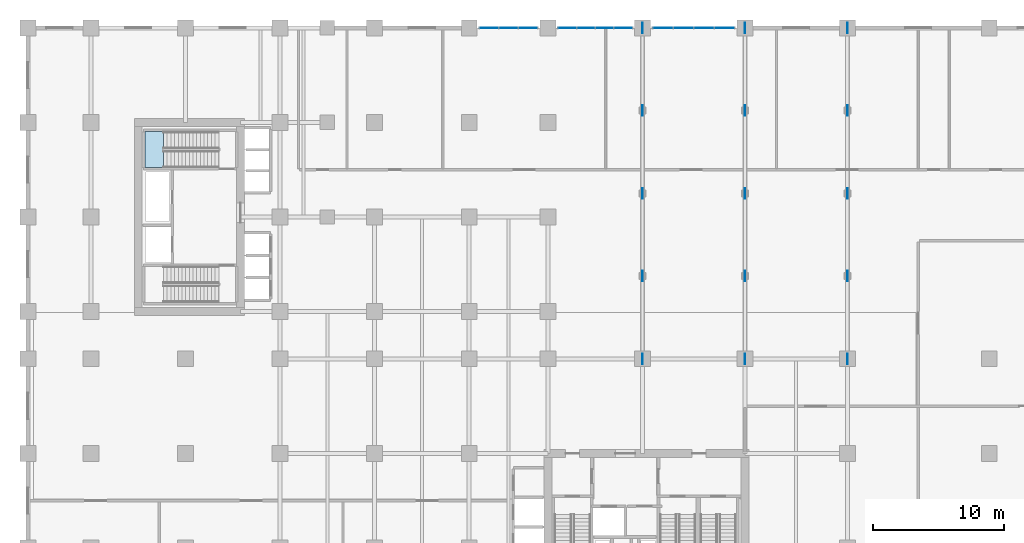
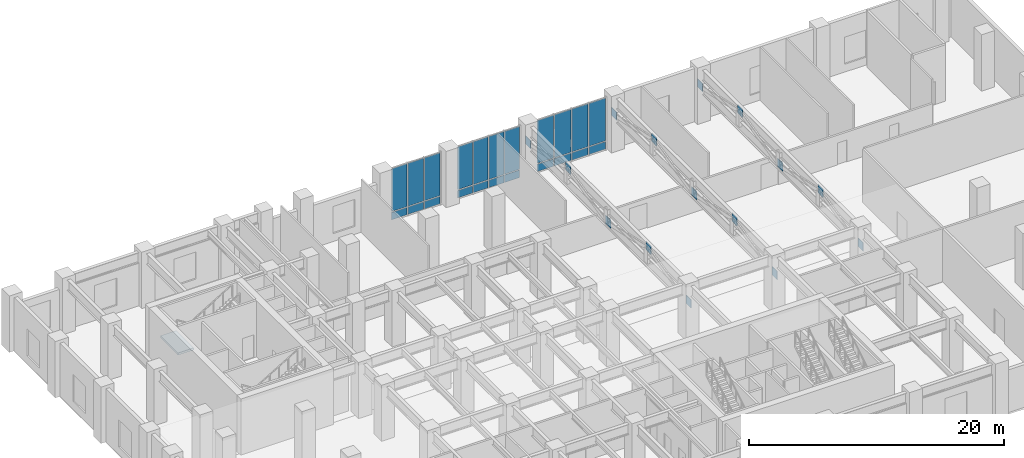
# One storey, part 7 of 19: 37 plates, 1 slab, 4 elements without a shape of their own.
"""IFC4 building model written with IfcOpenShell, lengths in metres."""

from ifc_helpers import new_model, si_unit, derived_unit, direction, frame, origin, origin_2d, place, context, subcontext, project, spatial, polyline, rectangle, outline, extrude, source, transform, mapped, material, layer, layer_set, type_object, type_shapes, element, aggregate, save


model = new_model("IFC4")

# Units and contexts
model_context = context("Model", 3, precision=1e-05, world=origin(), true_north=direction((0.0, 1.0)))
body_context = subcontext(model_context, "Body", "Model", "MODEL_VIEW")
ifc_project = project(units=[si_unit("LENGTHUNIT", "METRE"), si_unit("AREAUNIT", "SQUARE_METRE"), si_unit("VOLUMEUNIT", "CUBIC_METRE"), si_unit("PLANEANGLEUNIT", "RADIAN"), si_unit("MASSUNIT", "GRAM", prefix="KILO"), si_unit("THERMODYNAMICTEMPERATUREUNIT", "KELVIN"), si_unit("POWERUNIT", "WATT"), derived_unit("THERMALTRANSMITTANCEUNIT", [(si_unit("POWERUNIT", "WATT"), 1), (si_unit("AREAUNIT", "SQUARE_METRE"), -1), (si_unit("THERMODYNAMICTEMPERATUREUNIT", "KELVIN"), -1)])], contexts=[model_context])

# Site, building, storey
site_placement = place(None, origin())
site = spatial("IfcSite", under=ifc_project, at=site_placement, CompositionType="ELEMENT")
building_placement = place(site_placement, origin())
building = spatial("IfcBuilding", under=site, at=building_placement, Name="Zahravan Archway Hotel and Residences", CompositionType="ELEMENT")
storey_placement = place(building_placement, frame((0.0, 0.0, 21.60009765625)))
storey = spatial("IfcBuildingStorey", under=building, at=storey_placement, Name="L04", CompositionType="ELEMENT", Elevation=21.60009765625)

# Stair, slab
ifc_material_1 = material(Name="Concrete C50/60", Category="concrete")
stair_type = type_object("IfcStairType", Name="STR-CORE-1300", PredefinedType="HALF_TURN_STAIR", material=ifc_material_1)
stair_placement = place(storey_placement, origin())
stair = element("IfcStair", 1, at=stair_placement, inside=storey, type_object=stair_type, Name="L04 Core B Exit Stair 2", PredefinedType="HALF_TURN_STAIR")
ifc_layer_1 = layer(ifc_material_1, 0.199951171875, Name="Concrete C50/60", Category="concrete")
ifc_layer_set_1 = layer_set([ifc_layer_1], Name="Concrete C50/60")
slab_type = type_object("IfcSlabType", Name="SLB-LND-200", PredefinedType="LANDING", material=ifc_layer_set_1)
slab_placement = place(storey_placement, frame((0.0, 0.0, 2.5)))
slab = element("IfcSlab", 2, at=slab_placement, type_object=slab_type, Name="ST-B2 landing 1", PredefinedType="LANDING", context=body_context, shape_type="SweptSolid", body=[
    extrude(outline(polyline([(5.530029296875, 38.89990234375), (4.10009765625, 38.89990234375), (4.10009765625, 36.159912109375), (5.530029296875, 36.159912109375), (5.530029296875, 38.89990234375)])), origin(), (0.0, 0.0, 1.0), 0.199951171875),
])
aggregate(stair, [slab])

# Plates
ifc_material_2 = material(Name="Structural Steel S355J2", Category="steel")
ifc_layer_2 = layer(ifc_material_2, 0.035888671875, Name="Structural Steel S355J2", Category="steel")
ifc_layer_set_2 = layer_set([ifc_layer_2], Name="Structural Steel S355J2")
plate_type_1 = type_object("IfcPlateType", Name="PLT-GUS-ON2", PredefinedType="USERDEFINED", material=ifc_layer_set_2)
shared_shape_1 = source(origin(), body_context, "Body", "SweptSolid", [
    extrude(rectangle(XDim=0.800048828125, YDim=0.035888671875, at=origin_2d()), origin(), (0.0, 0.0, 1.0), 0.800048828125),
])
type_shapes(plate_type_1, [shared_shape_1])
for number, where, z_axis, x_axis, name in (
    (3, (42.0, 21.60009765625, 2.7998046875), (0.0, 0.0, 1.0), (0.0, 1.0, 0.0), "L04 Transfer Truss Node Gusset ON2-1-1"),
    (4, (42.0, 27.89990234375, 4.14990234375), (0.0, 0.0, 1.0), (0.0, 1.0, 0.0), "L04 Transfer Truss Node Gusset ON2-1-2"),
    (5, (42.0, 34.199951171875, 2.7998046875), (0.0, 0.0, 1.0), (0.0, 1.0, 0.0), "L04 Transfer Truss Node Gusset ON2-1-3"),
    (6, (42.0, 40.5, 4.14990234375), (0.0, 0.0, 1.0), (0.0, 1.0, 0.0), "L04 Transfer Truss Node Gusset ON2-1-4"),
    (7, (42.0, 46.800048828125, 2.7998046875), (0.0, 0.0, 1.0), (0.0, 1.0, 0.0), "L04 Transfer Truss End Gusset ON2-1"),
    (8, (49.800048828125, 21.60009765625, 2.7998046875), (0.0, 0.0, 1.0), (0.0, 1.0, 0.0), "L04 Transfer Truss Node Gusset ON2-2-1"),
    (9, (49.800048828125, 27.89990234375, 4.14990234375), (0.0, 0.0, 1.0), (0.0, 1.0, 0.0), "L04 Transfer Truss Node Gusset ON2-2-2"),
    (10, (49.800048828125, 34.199951171875, 2.7998046875), (0.0, 0.0, 1.0), (0.0, 1.0, 0.0), "L04 Transfer Truss Node Gusset ON2-2-3"),
    (11, (49.800048828125, 40.5, 4.14990234375), (0.0, 0.0, 1.0), (0.0, 1.0, 0.0), "L04 Transfer Truss Node Gusset ON2-2-4"),
    (12, (49.800048828125, 46.800048828125, 2.7998046875), (0.0, 0.0, 1.0), (0.0, 1.0, 0.0), "L04 Transfer Truss End Gusset ON2-2"),
    (13, (57.60009765625, 21.60009765625, 2.7998046875), (0.0, 0.0, 1.0), (0.0, 1.0, 0.0), "L04 Transfer Truss Node Gusset ON2-3-1"),
    (14, (57.60009765625, 27.89990234375, 4.14990234375), (0.0, 0.0, 1.0), (0.0, 1.0, 0.0), "L04 Transfer Truss Node Gusset ON2-3-2"),
    (15, (57.60009765625, 34.199951171875, 2.7998046875), (0.0, 0.0, 1.0), (0.0, 1.0, 0.0), "L04 Transfer Truss Node Gusset ON2-3-3"),
    (16, (57.60009765625, 40.5, 4.14990234375), (0.0, 0.0, 1.0), (0.0, 1.0, 0.0), "L04 Transfer Truss Node Gusset ON2-3-4"),
    (17, (57.60009765625, 46.800048828125, 2.7998046875), (0.0, 0.0, 1.0), (0.0, 1.0, 0.0), "L04 Transfer Truss End Gusset ON2-3"),
):
    element("IfcPlate", number, at=place(storey_placement, frame(where, z_axis=z_axis, x_axis=x_axis)), inside=storey, type_object=plate_type_1, Name=name, ObjectType="GUSSET", PredefinedType="USERDEFINED", context=body_context, shape_type="MappedRepresentation", body=[
        mapped(shared_shape_1, transform((0.0, 0.0, 0.0), scale=1.0)),
    ])

# Curtain wall, plates
ifc_material_3 = material(Name="Bronze-Anodized Unitised Aluminium & Low-E Glass", Category="aluminium")
ifc_layer_3 = layer(ifc_material_3, 0.179931640625, Name="Bronze-Anodized Unitised Aluminium & Low-E Glass", Category="aluminium")
ifc_layer_set_3 = layer_set([ifc_layer_3], Name="Bronze-Anodized Unitised Aluminium & Low-E Glass")
curtain_wall_type = type_object("IfcCurtainWallType", Name="CW-POD-ARCH", PredefinedType="NOTDEFINED", material=ifc_layer_set_3)
curtain_wall_1_placement = place(storey_placement, origin())
curtain_wall_1 = element("IfcCurtainWall", 18, at=curtain_wall_1_placement, inside=storey, type_object=curtain_wall_type, Name="L04 Curtain Wall CW-POD-L04-1", PredefinedType="NOTDEFINED")
ifc_material_4 = material(Name="Insulated Terracotta Spandrel Panel", Category="masonry")
ifc_layer_4 = layer(ifc_material_4, 0.0400390625, Name="Insulated Terracotta Spandrel Panel", Category="masonry")
ifc_layer_set_4 = layer_set([ifc_layer_4], Name="Insulated Terracotta Spandrel Panel")
plate_type_2 = type_object("IfcPlateType", Name="CWP-SPN-40", PredefinedType="SHEET", material=ifc_layer_set_4)
shared_shape_2 = source(origin(), body_context, "Body", "SweptSolid", [
    extrude(rectangle(XDim=1.413330078125, YDim=0.0400390625, at=origin_2d()), origin(), (0.0, 0.0, 1.0), 0.7099609375),
])
type_shapes(plate_type_2, [shared_shape_2])
plate_1_placement = place(storey_placement, frame((30.306640625, 46.800048828125, 0.099853515625), z_axis=(0.0, 0.0, 1.0), x_axis=(1.0, 0.0, 0.0)))
plate_1 = element("IfcPlate", 19, at=plate_1_placement, type_object=plate_type_2, Name="CW-POD-L04-1 Spandrel Panel 0", PredefinedType="SHEET", context=body_context, shape_type="MappedRepresentation", body=[
    mapped(shared_shape_2, transform((0.0, 0.0, 0.0), scale=1.0)),
])
plate_2_placement = place(storey_placement, frame((31.800048828125, 46.800048828125, 0.099853515625), z_axis=(0.0, 0.0, 1.0), x_axis=(1.0, 0.0, 0.0)))
plate_2 = element("IfcPlate", 20, at=plate_2_placement, type_object=plate_type_2, Name="CW-POD-L04-1 Spandrel Panel 1", PredefinedType="SHEET", context=body_context, shape_type="MappedRepresentation", body=[
    mapped(shared_shape_2, transform((0.0, 0.0, 0.0), scale=1.0)),
])
plate_3_placement = place(storey_placement, frame((33.29345703125, 46.800048828125, 0.099853515625), z_axis=(0.0, 0.0, 1.0), x_axis=(1.0, 0.0, 0.0)))
plate_3 = element("IfcPlate", 21, at=plate_3_placement, type_object=plate_type_2, Name="CW-POD-L04-1 Spandrel Panel 2", PredefinedType="SHEET", context=body_context, shape_type="MappedRepresentation", body=[
    mapped(shared_shape_2, transform((0.0, 0.0, 0.0), scale=1.0)),
])

curtain_wall_2_placement = place(storey_placement, origin())
curtain_wall_2 = element("IfcCurtainWall", 22, at=curtain_wall_2_placement, inside=storey, type_object=curtain_wall_type, Name="L04 Curtain Wall CW-POD-L04-2", PredefinedType="NOTDEFINED")
shared_shape_3 = source(origin(), body_context, "Body", "SweptSolid", [
    extrude(rectangle(XDim=1.340087890625, YDim=0.0400390625, at=origin_2d()), origin(), (0.0, 0.0, 1.0), 0.7099609375),
])
plate_4_placement = place(storey_placement, frame((36.27001953125, 46.800048828125, 0.099853515625), z_axis=(0.0, 0.0, 1.0), x_axis=(1.0, 0.0, 0.0)))
plate_4 = element("IfcPlate", 23, at=plate_4_placement, type_object=plate_type_2, Name="CW-POD-L04-2 Spandrel Panel 0", PredefinedType="SHEET", context=body_context, shape_type="MappedRepresentation", body=[
    mapped(shared_shape_3, transform((0.0, 0.0, 0.0), scale=1.0)),
])
plate_5_placement = place(storey_placement, frame((37.68994140625, 46.800048828125, 0.099853515625), z_axis=(0.0, 0.0, 1.0), x_axis=(1.0, 0.0, 0.0)))
plate_5 = element("IfcPlate", 24, at=plate_5_placement, type_object=plate_type_2, Name="CW-POD-L04-2 Spandrel Panel 1", PredefinedType="SHEET", context=body_context, shape_type="MappedRepresentation", body=[
    mapped(shared_shape_3, transform((0.0, 0.0, 0.0), scale=1.0)),
])
plate_6_placement = place(storey_placement, frame((39.110107421875, 46.800048828125, 0.099853515625), z_axis=(0.0, 0.0, 1.0), x_axis=(1.0, 0.0, 0.0)))
plate_6 = element("IfcPlate", 25, at=plate_6_placement, type_object=plate_type_2, Name="CW-POD-L04-2 Spandrel Panel 2", PredefinedType="SHEET", context=body_context, shape_type="MappedRepresentation", body=[
    mapped(shared_shape_3, transform((0.0, 0.0, 0.0), scale=1.0)),
])
plate_7_placement = place(storey_placement, frame((40.530029296875, 46.800048828125, 0.099853515625), z_axis=(0.0, 0.0, 1.0), x_axis=(1.0, 0.0, 0.0)))
plate_7 = element("IfcPlate", 26, at=plate_7_placement, type_object=plate_type_2, Name="CW-POD-L04-2 Spandrel Panel 3", PredefinedType="SHEET", context=body_context, shape_type="MappedRepresentation", body=[
    mapped(shared_shape_3, transform((0.0, 0.0, 0.0), scale=1.0)),
])

curtain_wall_3_placement = place(storey_placement, origin())
curtain_wall_3 = element("IfcCurtainWall", 27, at=curtain_wall_3_placement, inside=storey, type_object=curtain_wall_type, Name="L04 Curtain Wall CW-POD-L04-3", PredefinedType="NOTDEFINED")
shared_shape_4 = source(origin(), body_context, "Body", "SweptSolid", [
    extrude(rectangle(XDim=1.489990234375, YDim=0.0400390625, at=origin_2d()), origin(), (0.0, 0.0, 1.0), 0.7099609375),
])
plate_8_placement = place(storey_placement, frame((43.544921875, 46.800048828125, 0.099853515625), z_axis=(0.0, 0.0, 1.0), x_axis=(1.0, 0.0, 0.0)))
plate_8 = element("IfcPlate", 28, at=plate_8_placement, type_object=plate_type_2, Name="CW-POD-L04-3 Spandrel Panel 0", PredefinedType="SHEET", context=body_context, shape_type="MappedRepresentation", body=[
    mapped(shared_shape_4, transform((0.0, 0.0, 0.0), scale=1.0)),
])
plate_9_placement = place(storey_placement, frame((45.114990234375, 46.800048828125, 0.099853515625), z_axis=(0.0, 0.0, 1.0), x_axis=(1.0, 0.0, 0.0)))
plate_9 = element("IfcPlate", 29, at=plate_9_placement, type_object=plate_type_2, Name="CW-POD-L04-3 Spandrel Panel 1", PredefinedType="SHEET", context=body_context, shape_type="MappedRepresentation", body=[
    mapped(shared_shape_4, transform((0.0, 0.0, 0.0), scale=1.0)),
])
plate_10_placement = place(storey_placement, frame((46.68505859375, 46.800048828125, 0.099853515625), z_axis=(0.0, 0.0, 1.0), x_axis=(1.0, 0.0, 0.0)))
plate_10 = element("IfcPlate", 30, at=plate_10_placement, type_object=plate_type_2, Name="CW-POD-L04-3 Spandrel Panel 2", PredefinedType="SHEET", context=body_context, shape_type="MappedRepresentation", body=[
    mapped(shared_shape_4, transform((0.0, 0.0, 0.0), scale=1.0)),
])
plate_11_placement = place(storey_placement, frame((48.2548828125, 46.800048828125, 0.099853515625), z_axis=(0.0, 0.0, 1.0), x_axis=(1.0, 0.0, 0.0)))
plate_11 = element("IfcPlate", 31, at=plate_11_placement, type_object=plate_type_2, Name="CW-POD-L04-3 Spandrel Panel 3", PredefinedType="SHEET", context=body_context, shape_type="MappedRepresentation", body=[
    mapped(shared_shape_4, transform((0.0, 0.0, 0.0), scale=1.0)),
])

# Plate
ifc_material_5 = material(Name="Double-Silver Low-E Insulated Vision Glass", Category="glass")
ifc_layer_5 = layer(ifc_material_5, 0.028076171875, Name="Double-Silver Low-E Insulated Vision Glass", Category="glass")
ifc_layer_set_5 = layer_set([ifc_layer_5], Name="Double-Silver Low-E Insulated Vision Glass")
plate_type_3 = type_object("IfcPlateType", Name="CWP-GLZ-28", PredefinedType="CURTAIN_PANEL", material=ifc_layer_set_5)
shared_shape_5 = source(origin(), body_context, "Body", "SweptSolid", [
    extrude(rectangle(XDim=1.413330078125, YDim=0.028076171875, at=origin_2d()), origin(), (0.0, 0.0, 1.0), 4.110107421875),
])
plate_12_placement = place(storey_placement, frame((30.306640625, 46.800048828125, 0.8896484375), z_axis=(0.0, 0.0, 1.0), x_axis=(1.0, 0.0, 0.0)))
plate_12 = element("IfcPlate", 32, at=plate_12_placement, type_object=plate_type_3, Name="CW-POD-L04-1 Low-E Vision Panel 0", PredefinedType="CURTAIN_PANEL", context=body_context, shape_type="MappedRepresentation", body=[
    mapped(shared_shape_5, transform((0.0, 0.0, 0.0), scale=1.0)),
])

plate_13_placement = place(storey_placement, frame((31.800048828125, 46.800048828125, 0.8896484375), z_axis=(0.0, 0.0, 1.0), x_axis=(1.0, 0.0, 0.0)))
plate_13 = element("IfcPlate", 33, at=plate_13_placement, type_object=plate_type_3, Name="CW-POD-L04-1 Low-E Vision Panel 1", PredefinedType="CURTAIN_PANEL", context=body_context, shape_type="MappedRepresentation", body=[
    mapped(shared_shape_5, transform((0.0, 0.0, 0.0), scale=1.0)),
])

plate_14_placement = place(storey_placement, frame((33.29345703125, 46.800048828125, 0.8896484375), z_axis=(0.0, 0.0, 1.0), x_axis=(1.0, 0.0, 0.0)))
plate_14 = element("IfcPlate", 34, at=plate_14_placement, type_object=plate_type_3, Name="CW-POD-L04-1 Low-E Vision Panel 2", PredefinedType="CURTAIN_PANEL", context=body_context, shape_type="MappedRepresentation", body=[
    mapped(shared_shape_5, transform((0.0, 0.0, 0.0), scale=1.0)),
])

aggregate(curtain_wall_1, [plate_1, plate_12, plate_2, plate_13, plate_3, plate_14])

shared_shape_6 = source(origin(), body_context, "Body", "SweptSolid", [
    extrude(rectangle(XDim=1.340087890625, YDim=0.028076171875, at=origin_2d()), origin(), (0.0, 0.0, 1.0), 4.110107421875),
])
plate_15_placement = place(storey_placement, frame((36.27001953125, 46.800048828125, 0.8896484375), z_axis=(0.0, 0.0, 1.0), x_axis=(1.0, 0.0, 0.0)))
plate_15 = element("IfcPlate", 35, at=plate_15_placement, type_object=plate_type_3, Name="CW-POD-L04-2 Low-E Vision Panel 0", PredefinedType="CURTAIN_PANEL", context=body_context, shape_type="MappedRepresentation", body=[
    mapped(shared_shape_6, transform((0.0, 0.0, 0.0), scale=1.0)),
])

plate_16_placement = place(storey_placement, frame((37.68994140625, 46.800048828125, 0.8896484375), z_axis=(0.0, 0.0, 1.0), x_axis=(1.0, 0.0, 0.0)))
plate_16 = element("IfcPlate", 36, at=plate_16_placement, type_object=plate_type_3, Name="CW-POD-L04-2 Low-E Vision Panel 1", PredefinedType="CURTAIN_PANEL", context=body_context, shape_type="MappedRepresentation", body=[
    mapped(shared_shape_6, transform((0.0, 0.0, 0.0), scale=1.0)),
])

plate_17_placement = place(storey_placement, frame((39.110107421875, 46.800048828125, 0.8896484375), z_axis=(0.0, 0.0, 1.0), x_axis=(1.0, 0.0, 0.0)))
plate_17 = element("IfcPlate", 37, at=plate_17_placement, type_object=plate_type_3, Name="CW-POD-L04-2 Low-E Vision Panel 2", PredefinedType="CURTAIN_PANEL", context=body_context, shape_type="MappedRepresentation", body=[
    mapped(shared_shape_6, transform((0.0, 0.0, 0.0), scale=1.0)),
])

plate_18_placement = place(storey_placement, frame((40.530029296875, 46.800048828125, 0.8896484375), z_axis=(0.0, 0.0, 1.0), x_axis=(1.0, 0.0, 0.0)))
plate_18 = element("IfcPlate", 38, at=plate_18_placement, type_object=plate_type_3, Name="CW-POD-L04-2 Low-E Vision Panel 3", PredefinedType="CURTAIN_PANEL", context=body_context, shape_type="MappedRepresentation", body=[
    mapped(shared_shape_6, transform((0.0, 0.0, 0.0), scale=1.0)),
])

aggregate(curtain_wall_2, [plate_4, plate_15, plate_5, plate_16, plate_6, plate_17, plate_7, plate_18])

shared_shape_7 = source(origin(), body_context, "Body", "SweptSolid", [
    extrude(rectangle(XDim=1.489990234375, YDim=0.028076171875, at=origin_2d()), origin(), (0.0, 0.0, 1.0), 4.110107421875),
])
plate_19_placement = place(storey_placement, frame((43.544921875, 46.800048828125, 0.8896484375), z_axis=(0.0, 0.0, 1.0), x_axis=(1.0, 0.0, 0.0)))
plate_19 = element("IfcPlate", 39, at=plate_19_placement, type_object=plate_type_3, Name="CW-POD-L04-3 Low-E Vision Panel 0", PredefinedType="CURTAIN_PANEL", context=body_context, shape_type="MappedRepresentation", body=[
    mapped(shared_shape_7, transform((0.0, 0.0, 0.0), scale=1.0)),
])

plate_20_placement = place(storey_placement, frame((45.114990234375, 46.800048828125, 0.8896484375), z_axis=(0.0, 0.0, 1.0), x_axis=(1.0, 0.0, 0.0)))
plate_20 = element("IfcPlate", 40, at=plate_20_placement, type_object=plate_type_3, Name="CW-POD-L04-3 Low-E Vision Panel 1", PredefinedType="CURTAIN_PANEL", context=body_context, shape_type="MappedRepresentation", body=[
    mapped(shared_shape_7, transform((0.0, 0.0, 0.0), scale=1.0)),
])

plate_21_placement = place(storey_placement, frame((46.68505859375, 46.800048828125, 0.8896484375), z_axis=(0.0, 0.0, 1.0), x_axis=(1.0, 0.0, 0.0)))
plate_21 = element("IfcPlate", 41, at=plate_21_placement, type_object=plate_type_3, Name="CW-POD-L04-3 Low-E Vision Panel 2", PredefinedType="CURTAIN_PANEL", context=body_context, shape_type="MappedRepresentation", body=[
    mapped(shared_shape_7, transform((0.0, 0.0, 0.0), scale=1.0)),
])

plate_22_placement = place(storey_placement, frame((48.2548828125, 46.800048828125, 0.8896484375), z_axis=(0.0, 0.0, 1.0), x_axis=(1.0, 0.0, 0.0)))
plate_22 = element("IfcPlate", 42, at=plate_22_placement, type_object=plate_type_3, Name="CW-POD-L04-3 Low-E Vision Panel 3", PredefinedType="CURTAIN_PANEL", context=body_context, shape_type="MappedRepresentation", body=[
    mapped(shared_shape_7, transform((0.0, 0.0, 0.0), scale=1.0)),
])

aggregate(curtain_wall_3, [plate_8, plate_19, plate_9, plate_20, plate_10, plate_21, plate_11, plate_22])

save(model, "model.ifc")
